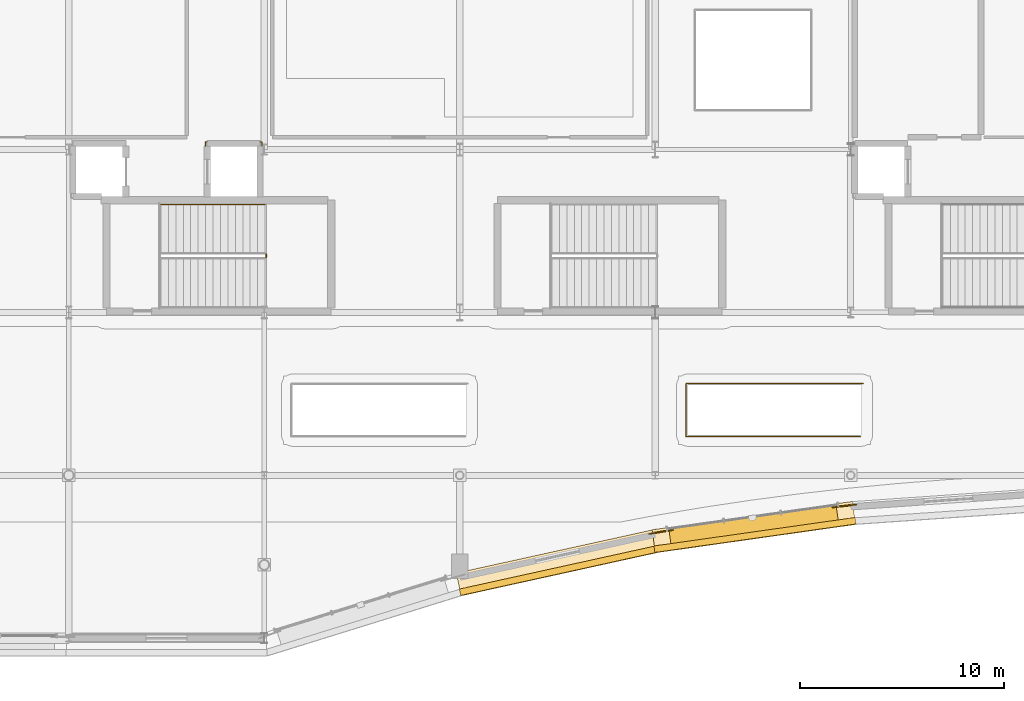
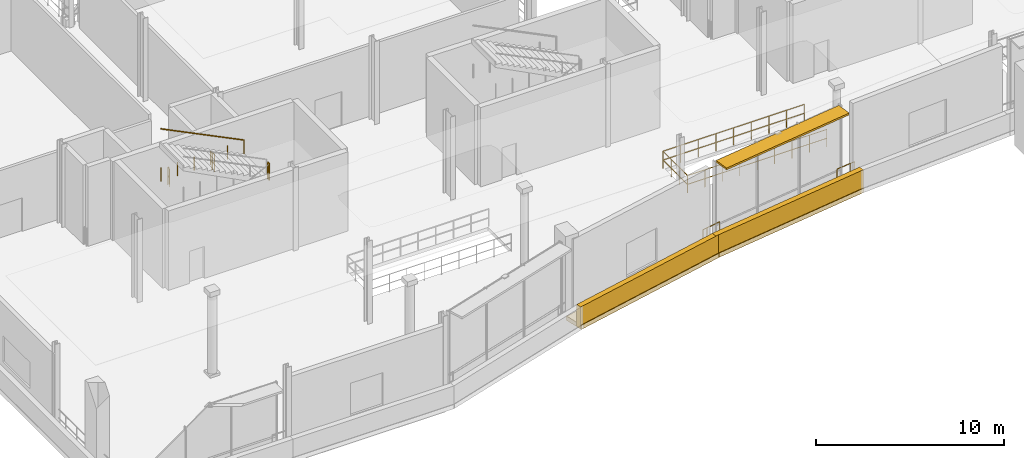
# One storey, part 104 of 129: 7 railings, 4 coverings, 1 shading device.
"""IFC4 building model written with IfcOpenShell, lengths in metres."""

import ifcopenshell
import ifcopenshell.guid

model = None  # the IFC model being written
_history = None  # IfcOwnerHistory: only IFC2X3 demands one
_inside = {}  # id of a spatial element -> (the spatial element, [elements in it])
_under = {}  # id of a project, library or spatial element -> (it, [spatial elements below it])
_declared = {}  # id of a project -> (the project, [libraries it declares])
_typed = {}  # id of a type object -> (the type object, [elements of that type])
_made_of = {}  # id of a material, layer set ... -> (it, [elements and type objects made of it])


def new_model(schema):
    """Start an empty IFC model of exactly this schema.

    Asked for "IFC4X3", IfcOpenShell would pick the latest addendum, in which some entities
    have other attributes; the version numbers below select the first issue.
    IFC2X3 requires an IfcOwnerHistory on every rooted entity: one is made here for all.
    """
    global model, _history
    if schema == "IFC4X3":
        model = ifcopenshell.file(schema_version=(4, 3, 0, 0))
    else:
        model = ifcopenshell.file(schema=schema)
    _inside.clear()
    _under.clear()
    _declared.clear()
    _typed.clear()
    _made_of.clear()
    _history = None
    if model.schema == "IFC2X3":
        org = make("IfcOrganization", Name="unknown")
        user = make(
            "IfcPersonAndOrganization",
            ThePerson=make("IfcPerson", FamilyName="unknown"),
            TheOrganization=org,
        )
        app = make(
            "IfcApplication",
            ApplicationDeveloper=org,
            Version="unknown",
            ApplicationFullName="unknown",
            ApplicationIdentifier="unknown",
        )
        _history = make(
            "IfcOwnerHistory",
            OwningUser=user,
            OwningApplication=app,
            ChangeAction="ADDED",
            CreationDate=0,
        )
    return model


def make(cls, **values):
    """One entity of the class cls with the attributes given. An attribute that is None is left unset."""
    return model.create_entity(
        cls, **{name: value for name, value in values.items() if value is not None}
    )


def rooted(cls, **values):
    """An entity with a GlobalId (a new one), such as an element, a storey or a relation."""
    return make(cls, GlobalId=ifcopenshell.guid.new(), OwnerHistory=_history, **values)


def si_unit(unit_type, name, prefix=None):
    """IfcSIUnit, for example si_unit("LENGTHUNIT", "METRE", prefix="MILLI")."""
    return make("IfcSIUnit", UnitType=unit_type, Prefix=prefix, Name=name)


def assignment(units):
    """IfcUnitAssignment: the units of a project."""
    return None if units is None else make("IfcUnitAssignment", Units=units)


def point(xyz):
    """IfcCartesianPoint."""
    return None if xyz is None else make("IfcCartesianPoint", Coordinates=xyz)


def direction(xyz):
    """IfcDirection."""
    return None if xyz is None else make("IfcDirection", DirectionRatios=xyz)


def frame(location, z_axis=None, x_axis=None):
    """IfcAxis2Placement3D, a coordinate frame: its origin and axes. An axis left out is left unset."""
    return make(
        "IfcAxis2Placement3D",
        Location=point(location),
        Axis=direction(z_axis),
        RefDirection=direction(x_axis),
    )


def frame_2d(location, x_axis=None):
    """IfcAxis2Placement2D, a coordinate frame in the plane: its origin and x axis."""
    return make(
        "IfcAxis2Placement2D", Location=point(location), RefDirection=direction(x_axis)
    )


def origin():
    """The frame at (0, 0, 0) with its axes left unset."""
    return frame((0.0, 0.0, 0.0))


def origin_2d():
    """The frame at (0, 0) in the plane with its x axis left unset."""
    return frame_2d((0.0, 0.0))


def place(relative_to, where):
    """IfcLocalPlacement: puts the frame where relative to a parent placement (None: the world)."""
    return make(
        "IfcLocalPlacement", PlacementRelTo=relative_to, RelativePlacement=where
    )


def context(
    kind, dimensions, precision=None, world=None, true_north=None, identifier=None
):
    """IfcGeometricRepresentationContext, for example the 3D "Model" context."""
    return make(
        "IfcGeometricRepresentationContext",
        ContextIdentifier=identifier,
        ContextType=kind,
        CoordinateSpaceDimension=dimensions,
        Precision=precision,
        WorldCoordinateSystem=world,
        TrueNorth=true_north,
    )


def subcontext(parent, identifier, kind, view, scale=None):
    """IfcGeometricRepresentationSubContext, for example "Body" below "Model"."""
    return make(
        "IfcGeometricRepresentationSubContext",
        ContextIdentifier=identifier,
        ContextType=kind,
        ParentContext=parent,
        TargetScale=scale,
        TargetView=view,
    )


def project(units=None, contexts=None):
    """IfcProject with its units and contexts."""
    return rooted(
        "IfcProject",
        Name="project",
        RepresentationContexts=contexts,
        UnitsInContext=assignment(units),
    )


def spatial(cls, under=None, at=None, **own):
    """A site, building, storey or space (cls), placed at a placement, below another one or the project."""
    s = rooted(cls, ObjectPlacement=at, **own)
    if under is not None:
        _under.setdefault(under.id(), (under, []))[1].append(s)
    return s


def profile(cls, at=None, kind="AREA", **sizes):
    """A parametric profile (cls). Its sizes go by their IFC names, for example OverallWidth=200.0."""
    return make(cls, ProfileType=kind, Position=at, **sizes)


def rectangle(**sizes):
    """IfcRectangleProfileDef."""
    return profile("IfcRectangleProfileDef", **sizes)


def circle(**sizes):
    """IfcCircleProfileDef."""
    return profile("IfcCircleProfileDef", **sizes)


def extrude(swept, where, along, depth):
    """IfcExtrudedAreaSolid: the profile swept, set in the frame where, extruded along a direction by depth."""
    return make(
        "IfcExtrudedAreaSolid",
        SweptArea=swept,
        Position=where,
        ExtrudedDirection=direction(along),
        Depth=depth,
    )


def shape(context_of_items, identifier, shape_type, items):
    """IfcShapeRepresentation: the items that make up one representation, for example the "Body"."""
    return make(
        "IfcShapeRepresentation",
        ContextOfItems=context_of_items,
        RepresentationIdentifier=identifier,
        RepresentationType=shape_type,
        Items=items,
    )


def material(Name=None, Category=None):
    """IfcMaterial."""
    return make("IfcMaterial", Name=Name, Category=Category)


def layer(
    of_material, thickness, ventilated=None, Name=None, Category=None, Priority=None
):
    """IfcMaterialLayer: one layer of a wall or slab, of a material (None: an air gap)."""
    return make(
        "IfcMaterialLayer",
        Material=of_material,
        LayerThickness=thickness,
        IsVentilated=ventilated,
        Name=Name,
        Category=Category,
        Priority=Priority,
    )


def layer_set(layers, Name=None):
    """IfcMaterialLayerSet."""
    return make("IfcMaterialLayerSet", MaterialLayers=layers, LayerSetName=Name)


def made_of(thing, what):
    """Note that an element or type object is made of a material, layer set ...; save() writes the relation."""
    if what is not None:
        _made_of.setdefault(what.id(), (what, []))[1].append(thing)
    return thing


def type_object(cls, material=None, **own):
    """A type object (cls), such as IfcWallType, which elements share."""
    return made_of(rooted(cls, **own), material)


def element(
    cls,
    number,
    at=None,
    inside=None,
    cuts=None,
    type_object=None,
    material=None,
    context=None,
    identifier="Body",
    shape_type=None,
    held_by="IfcProductDefinitionShape",
    body=None,
    shapes=None,
    **own,
):
    """One element of the class cls, such as IfcWall. Its Tag is "e" and its number.

    at: its placement. inside: the storey or other place that contains it. cuts: it is an
    opening in that element (IfcRelVoidsElement). A single representation is given by context,
    identifier, shape_type and body (its items); several are given by shapes. held_by: the class
    of the entity that holds the representations. save() writes the other relations.
    """
    e = rooted(cls, Tag="e%d" % number, ObjectPlacement=at, **own)
    if body is not None:
        shapes = [shape(context, identifier, shape_type, body)]
    if shapes is not None:
        e.Representation = make(held_by, Representations=shapes)
    if inside is not None:
        _inside.setdefault(inside.id(), (inside, []))[1].append(e)
    if cuts is not None:
        rooted(
            "IfcRelVoidsElement", RelatingBuildingElement=cuts, RelatedOpeningElement=e
        )
    if type_object is not None:
        _typed.setdefault(type_object.id(), (type_object, []))[1].append(e)
    return made_of(e, material)


def aggregate(whole, parts):
    """IfcRelAggregates: a whole, such as a stair, and the parts it consists of."""
    return rooted("IfcRelAggregates", RelatingObject=whole, RelatedObjects=parts)


def save(model, path):
    """Write the relations noted so far, then the file.

    IfcRelAggregates (storeys below a building ...), IfcRelContainedInSpatialStructure (elements
    in a storey), IfcRelDefinesByType, IfcRelAssociatesMaterial and IfcRelDeclares: one each for
    every whole, place, type object, material and project.
    """
    for whole, parts in _under.values():
        aggregate(whole, parts)
    for where, things in _inside.values():
        rooted(
            "IfcRelContainedInSpatialStructure",
            RelatedElements=things,
            RelatingStructure=where,
        )
    for kind, things in _typed.values():
        rooted("IfcRelDefinesByType", RelatedObjects=things, RelatingType=kind)
    for what, things in _made_of.values():
        rooted("IfcRelAssociatesMaterial", RelatedObjects=things, RelatingMaterial=what)
    for by, libraries in _declared.values():
        rooted("IfcRelDeclares", RelatingContext=by, RelatedDefinitions=libraries)
    model.write(path)


model = new_model("IFC4")

# Units and contexts
model_context = context("Model", 3, precision=1e-05, world=origin(), true_north=direction((0.0, 1.0)))
body_context = subcontext(model_context, "Body", "Model", "MODEL_VIEW")
ifc_project = project(units=[si_unit("LENGTHUNIT", "METRE"), si_unit("AREAUNIT", "SQUARE_METRE"), si_unit("VOLUMEUNIT", "CUBIC_METRE"), si_unit("PLANEANGLEUNIT", "RADIAN"), si_unit("MASSUNIT", "GRAM", prefix="KILO")], contexts=[model_context])

# Site, building, storey
site_placement = place(None, origin())
site = spatial("IfcSite", under=ifc_project, at=site_placement, CompositionType="ELEMENT")
building_placement = place(site_placement, origin())
building = spatial("IfcBuilding", under=site, at=building_placement, Name="Danafjord Basin Convention Centre", CompositionType="ELEMENT")
storey_placement = place(building_placement, frame((0.0, 0.0, 6.0)))
storey = spatial("IfcBuildingStorey", under=building, at=storey_placement, Name="L01", CompositionType="ELEMENT", Elevation=6.0)

# Coverings
ifc_material_1 = material(Name="Architectural white precast concrete C45/55", Category="concrete")
ifc_layer = layer(ifc_material_1, 0.320068359375)
ifc_layer_set = layer_set([ifc_layer], Name="Architectural white precast concrete C45/55")
covering_type = type_object("IfcCoveringType", Name="COV-BAND-HORIZ", PredefinedType="CLADDING", material=ifc_layer_set)
covering_1_placement = place(storey_placement, frame((33.669921875, 3.718994140625, -0.27978515625), z_axis=(0.0, 0.0, 1.0), x_axis=(0.976623114167, 0.214958816695, 0.0)))
element("IfcCovering", 1, at=covering_1_placement, inside=storey, type_object=covering_type, Name="L01 stepped horizontal band soffit plate 4", PredefinedType="CLADDING", context=body_context, shape_type="SweptSolid", body=[
    extrude(rectangle(XDim=10.070068359375, YDim=1.14990234375, at=origin_2d()), origin(), (0.0, 0.0, 1.0), 0.280029296875),
])
covering_2_placement = place(storey_placement, frame((33.752685546875, 3.343017578125, -0.239990234375), z_axis=(0.0, 0.0, 1.0), x_axis=(0.976623114167, 0.214958816695, 0.0)))
element("IfcCovering", 2, at=covering_2_placement, inside=storey, type_object=covering_type, Name="L01 layered horizontal white spandrel band 4", PredefinedType="CLADDING", context=body_context, shape_type="SweptSolid", body=[
    extrude(rectangle(XDim=10.110107421875, YDim=0.320068359375, at=origin_2d()), origin(), (0.0, 0.0, 1.0), 1.419921875),
])
covering_3_placement = place(storey_placement, frame((43.24560546875, 5.45068359375, -0.27978515625), z_axis=(0.0, 0.0, 1.0), x_axis=(0.990128157327, 0.140165017276, 0.0)))
element("IfcCovering", 3, at=covering_3_placement, inside=storey, type_object=covering_type, Name="L01 stepped horizontal band soffit plate 5", PredefinedType="CLADDING", context=body_context, shape_type="SweptSolid", body=[
    extrude(rectangle(XDim=9.93603515625, YDim=1.14990234375, at=origin_2d()), origin(), (0.0, 0.0, 1.0), 0.280029296875),
])
covering_4_placement = place(storey_placement, frame((43.299560546875, 5.069580078125, -0.239990234375), z_axis=(0.0, 0.0, 1.0), x_axis=(0.990128157327, 0.140165017276, 0.0)))
element("IfcCovering", 4, at=covering_4_placement, inside=storey, type_object=covering_type, Name="L01 layered horizontal white spandrel band 5", PredefinedType="CLADDING", context=body_context, shape_type="SweptSolid", body=[
    extrude(rectangle(XDim=9.97607421875, YDim=0.320068359375, at=origin_2d()), origin(), (0.0, 0.0, 1.0), 1.419921875),
])

# Railings
ifc_material_2 = material(Name="Laminated structural glass and stainless steel", Category="steel")
railing_type_1 = type_object("IfcRailingType", Name="RL-BAL-GLS", PredefinedType="BALUSTRADE", material=ifc_material_2)
railing_1_placement = place(storey_placement, frame((48.27294921875, 6.55908203125, 0.0)))
element("IfcRailing", 5, at=railing_1_placement, inside=storey, type_object=railing_type_1, Name="L01 safety guard balustrade 50", PredefinedType="BALUSTRADE", context=body_context, shape_type="SweptSolid", body=[
    extrude(circle(Radius=0.02392578125, at=origin_2d()), frame((0.0, 0.0, 1.1259765625), z_axis=(-0.995382053883, -0.09599253517, 0.0), x_axis=(0.09599253517, -0.995382053883, 0.0)), (0.0, 0.0, 1.0), 0.2822265625),
    extrude(circle(Radius=0.02392578125, at=origin_2d()), frame((0.0, 0.0, 0.55078125), z_axis=(-0.995382053883, -0.09599253517, 0.0), x_axis=(0.09599253517, -0.995382053883, 0.0)), (0.0, 0.0, 1.0), 0.2822265625),
    extrude(circle(Radius=0.02392578125, at=origin_2d()), frame((-0.281005859375, -0.027099609375, 1.1259765625), z_axis=(-0.993562916421, -0.113281645087, 0.0), x_axis=(0.113281645087, -0.993562916421, 0.0)), (0.0, 0.0, 1.0), 0.883544921875),
    extrude(circle(Radius=0.02392578125, at=origin_2d()), frame((-0.281005859375, -0.027099609375, 0.55078125), z_axis=(-0.993562916421, -0.113281645087, 0.0), x_axis=(0.113281645087, -0.993562916421, 0.0)), (0.0, 0.0, 1.0), 0.883544921875),
    extrude(circle(Radius=0.02099609375, at=origin_2d()), origin(), (0.0, 0.0, 1.0), 1.099853515625),
    extrude(circle(Radius=0.02099609375, at=origin_2d()), frame((-0.281005859375, -0.027099609375, 0.0)), (0.0, 0.0, 1.0), 1.099853515625),
    extrude(circle(Radius=0.02099609375, at=origin_2d()), frame((-1.158935546875, -0.127197265625, 0.0)), (0.0, 0.0, 1.0), 1.099853515625),
])
railing_2_placement = place(storey_placement, frame((39.257080078125, 5.320068359375, 0.0)))
element("IfcRailing", 6, at=railing_2_placement, inside=storey, type_object=railing_type_1, Name="L01 safety guard balustrade 51", PredefinedType="BALUSTRADE", context=body_context, shape_type="SweptSolid", body=[
    extrude(circle(Radius=0.02392578125, at=origin_2d()), frame((0.0, 0.0, 1.1259765625), z_axis=(-0.985881401248, -0.167445103463, 0.0), x_axis=(0.167445103463, -0.985881401248, 0.0)), (0.0, 0.0, 1.0), 0.883544921875),
    extrude(circle(Radius=0.02392578125, at=origin_2d()), frame((0.0, 0.0, 0.55078125), z_axis=(-0.985881401248, -0.167445103463, 0.0), x_axis=(0.167445103463, -0.985881401248, 0.0)), (0.0, 0.0, 1.0), 0.883544921875),
    extrude(circle(Radius=0.02392578125, at=origin_2d()), frame((-0.87109375, -0.14794921875, 1.1259765625), z_axis=(-0.98217213288, -0.187983779603, 0.0), x_axis=(0.187983779603, -0.98217213288, 0.0)), (0.0, 0.0, 1.0), 0.283203125),
    extrude(circle(Radius=0.02392578125, at=origin_2d()), frame((-0.87109375, -0.14794921875, 0.55078125), z_axis=(-0.98217213288, -0.187983779603, 0.0), x_axis=(0.187983779603, -0.98217213288, 0.0)), (0.0, 0.0, 1.0), 0.283203125),
    extrude(circle(Radius=0.02099609375, at=origin_2d()), origin(), (0.0, 0.0, 1.0), 1.099853515625),
    extrude(circle(Radius=0.02099609375, at=origin_2d()), frame((-0.87109375, -0.14794921875, 0.0)), (0.0, 0.0, 1.0), 1.099853515625),
    extrude(circle(Radius=0.02099609375, at=origin_2d()), frame((-1.149169921875, -0.201171875, 0.0)), (0.0, 0.0, 1.0), 1.099853515625),
])
railing_3_placement = place(storey_placement, frame((48.60498046875, 12.5048828125, 0.0)))
element("IfcRailing", 7, at=railing_3_placement, inside=storey, type_object=railing_type_1, Name="L01 safety guard balustrade 118", PredefinedType="BALUSTRADE", context=body_context, shape_type="SweptSolid", body=[
    extrude(circle(Radius=0.02392578125, at=origin_2d()), frame((0.0, 0.0, 1.1259765625), z_axis=(-1.0, 0.0, 0.0), x_axis=(0.0, -1.0, 0.0)), (0.0, 0.0, 1.0), 8.68505859375),
    extrude(circle(Radius=0.02392578125, at=origin_2d()), frame((0.0, 0.0, 0.55078125), z_axis=(-1.0, 0.0, 0.0), x_axis=(0.0, -1.0, 0.0)), (0.0, 0.0, 1.0), 8.68505859375),
    extrude(circle(Radius=0.02392578125, at=origin_2d()), frame((-8.68505859375, 0.0, 1.1259765625), z_axis=(0.0, -1.0, 0.0), x_axis=(1.0, 0.0, 0.0)), (0.0, 0.0, 1.0), 2.60986328125),
    extrude(circle(Radius=0.02392578125, at=origin_2d()), frame((-8.68505859375, 0.0, 0.55078125), z_axis=(0.0, -1.0, 0.0), x_axis=(1.0, 0.0, 0.0)), (0.0, 0.0, 1.0), 2.60986328125),
    extrude(circle(Radius=0.02392578125, at=origin_2d()), frame((-8.68505859375, -2.60986328125, 1.1259765625), z_axis=(1.0, 0.0, 0.0), x_axis=(0.0, 1.0, 0.0)), (0.0, 0.0, 1.0), 8.565185546875),
    extrude(circle(Radius=0.02392578125, at=origin_2d()), frame((-8.68505859375, -2.60986328125, 0.55078125), z_axis=(1.0, 0.0, 0.0), x_axis=(0.0, 1.0, 0.0)), (0.0, 0.0, 1.0), 8.565185546875),
    extrude(circle(Radius=0.02099609375, at=origin_2d()), origin(), (0.0, 0.0, 1.0), 1.099853515625),
    extrude(circle(Radius=0.02099609375, at=origin_2d()), frame((-1.085693359375, 0.0, 0.0)), (0.0, 0.0, 1.0), 1.099853515625),
    extrude(circle(Radius=0.02099609375, at=origin_2d()), frame((-2.17138671875, 0.0, 0.0)), (0.0, 0.0, 1.0), 1.099853515625),
    extrude(circle(Radius=0.02099609375, at=origin_2d()), frame((-3.2568359375, 0.0, 0.0)), (0.0, 0.0, 1.0), 1.099853515625),
    extrude(circle(Radius=0.02099609375, at=origin_2d()), frame((-4.342529296875, 0.0, 0.0)), (0.0, 0.0, 1.0), 1.099853515625),
    extrude(circle(Radius=0.02099609375, at=origin_2d()), frame((-5.42822265625, 0.0, 0.0)), (0.0, 0.0, 1.0), 1.099853515625),
    extrude(circle(Radius=0.02099609375, at=origin_2d()), frame((-6.513671875, 0.0, 0.0)), (0.0, 0.0, 1.0), 1.099853515625),
    extrude(circle(Radius=0.02099609375, at=origin_2d()), frame((-7.599365234375, 0.0, 0.0)), (0.0, 0.0, 1.0), 1.099853515625),
    extrude(circle(Radius=0.02099609375, at=origin_2d()), frame((-8.68505859375, 0.0, 0.0)), (0.0, 0.0, 1.0), 1.099853515625),
    extrude(circle(Radius=0.02099609375, at=origin_2d()), frame((-8.68505859375, -0.869873046875, 0.0)), (0.0, 0.0, 1.0), 1.099853515625),
    extrude(circle(Radius=0.02099609375, at=origin_2d()), frame((-8.68505859375, -1.739990234375, 0.0)), (0.0, 0.0, 1.0), 1.099853515625),
    extrude(circle(Radius=0.02099609375, at=origin_2d()), frame((-8.68505859375, -2.60986328125, 0.0)), (0.0, 0.0, 1.0), 1.099853515625),
    extrude(circle(Radius=0.02099609375, at=origin_2d()), frame((-7.614501953125, -2.60986328125, 0.0)), (0.0, 0.0, 1.0), 1.099853515625),
    extrude(circle(Radius=0.02099609375, at=origin_2d()), frame((-6.543701171875, -2.60986328125, 0.0)), (0.0, 0.0, 1.0), 1.099853515625),
    extrude(circle(Radius=0.02099609375, at=origin_2d()), frame((-5.47314453125, -2.60986328125, 0.0)), (0.0, 0.0, 1.0), 1.099853515625),
    extrude(circle(Radius=0.02099609375, at=origin_2d()), frame((-4.40234375, -2.60986328125, 0.0)), (0.0, 0.0, 1.0), 1.099853515625),
    extrude(circle(Radius=0.02099609375, at=origin_2d()), frame((-3.331787109375, -2.60986328125, 0.0)), (0.0, 0.0, 1.0), 1.099853515625),
    extrude(circle(Radius=0.02099609375, at=origin_2d()), frame((-2.26123046875, -2.60986328125, 0.0)), (0.0, 0.0, 1.0), 1.099853515625),
    extrude(circle(Radius=0.02099609375, at=origin_2d()), frame((-1.1904296875, -2.60986328125, 0.0)), (0.0, 0.0, 1.0), 1.099853515625),
    extrude(circle(Radius=0.02099609375, at=origin_2d()), frame((-0.119873046875, -2.60986328125, 0.0)), (0.0, 0.0, 1.0), 1.099853515625),
])
railing_4_placement = place(storey_placement, frame((16.39990234375, 24.3798828125, 0.0)))
element("IfcRailing", 8, at=railing_4_placement, inside=storey, type_object=railing_type_1, Name="L01 safety guard balustrade 124", PredefinedType="BALUSTRADE", context=body_context, shape_type="SweptSolid", body=[
    extrude(circle(Radius=0.02392578125, at=origin_2d()), frame((0.0, 0.0, 1.1259765625), z_axis=(-1.0, 0.0, 0.0), x_axis=(0.0, -1.0, 0.0)), (0.0, 0.0, 1.0), 0.079833984375),
    extrude(circle(Radius=0.02392578125, at=origin_2d()), frame((0.0, 0.0, 0.55078125), z_axis=(-1.0, 0.0, 0.0), x_axis=(0.0, -1.0, 0.0)), (0.0, 0.0, 1.0), 0.079833984375),
    extrude(circle(Radius=0.02392578125, at=origin_2d()), frame((-0.079833984375, 0.0, 1.1259765625), z_axis=(0.0, -1.0, 0.0), x_axis=(1.0, 0.0, 0.0)), (0.0, 0.0, 1.0), 0.21484375),
    extrude(circle(Radius=0.02392578125, at=origin_2d()), frame((-0.079833984375, 0.0, 0.55078125), z_axis=(0.0, -1.0, 0.0), x_axis=(1.0, 0.0, 0.0)), (0.0, 0.0, 1.0), 0.21484375),
    extrude(circle(Radius=0.02099609375, at=origin_2d()), origin(), (0.0, 0.0, 1.0), 1.099853515625),
    extrude(circle(Radius=0.02099609375, at=origin_2d()), frame((-0.079833984375, 0.0, 0.0)), (0.0, 0.0, 1.0), 1.099853515625),
    extrude(circle(Radius=0.02099609375, at=origin_2d()), frame((-0.079833984375, -0.21484375, 0.0)), (0.0, 0.0, 1.0), 1.099853515625),
])
ifc_material_3 = material(Name="Galvanised and powder-coated steel S355", Category="steel")
railing_type_2 = type_object("IfcRailingType", Name="RL-BAL-STL", PredefinedType="BALUSTRADE", material=ifc_material_3)
railing_5_placement = place(storey_placement, frame((19.080078125, 24.1650390625, 0.0)))
element("IfcRailing", 9, at=railing_5_placement, inside=storey, type_object=railing_type_2, Name="L01 safety guard balustrade 123", PredefinedType="BALUSTRADE", context=body_context, shape_type="SweptSolid", body=[
    extrude(circle(Radius=0.02392578125, at=origin_2d()), frame((0.0, 0.0, 1.1259765625), z_axis=(0.0, 1.0, 0.0), x_axis=(-1.0, 0.0, 0.0)), (0.0, 0.0, 1.0), 0.21484375),
    extrude(circle(Radius=0.02392578125, at=origin_2d()), frame((0.0, 0.0, 0.55078125), z_axis=(0.0, 1.0, 0.0), x_axis=(-1.0, 0.0, 0.0)), (0.0, 0.0, 1.0), 0.21484375),
    extrude(circle(Radius=0.02392578125, at=origin_2d()), frame((0.0, 0.21484375, 1.1259765625), z_axis=(-1.0, 0.0, 0.0), x_axis=(0.0, -1.0, 0.0)), (0.0, 0.0, 1.0), 0.080078125),
    extrude(circle(Radius=0.02392578125, at=origin_2d()), frame((0.0, 0.21484375, 0.55078125), z_axis=(-1.0, 0.0, 0.0), x_axis=(0.0, -1.0, 0.0)), (0.0, 0.0, 1.0), 0.080078125),
    extrude(circle(Radius=0.02099609375, at=origin_2d()), origin(), (0.0, 0.0, 1.0), 1.099853515625),
    extrude(circle(Radius=0.02099609375, at=origin_2d()), frame((0.0, 0.21484375, 0.0)), (0.0, 0.0, 1.0), 1.099853515625),
    extrude(circle(Radius=0.02099609375, at=origin_2d()), frame((-0.080078125, 0.21484375, 0.0)), (0.0, 0.0, 1.0), 1.099853515625),
])
ifc_material_4 = material(Name="Galvanised steel S355", Category="steel")
railing_type_3 = type_object("IfcRailingType", Name="RL-GD-WELL", PredefinedType="BALUSTRADE", material=ifc_material_4)
railing_6_placement = place(storey_placement, frame((19.2900390625, 18.7099609375, 2.699951171875)))
element("IfcRailing", 10, at=railing_6_placement, inside=storey, type_object=railing_type_3, Name="L01 ST-01 stair guard 2", PredefinedType="BALUSTRADE", context=body_context, shape_type="SweptSolid", body=[
    extrude(circle(Radius=0.02392578125, at=origin_2d()), frame((0.0, 0.0, 1.076171875), z_axis=(0.0, 1.0, 0.0), x_axis=(-1.0, 0.0, 0.0)), (0.0, 0.0, 1.0), 0.14013671875),
    extrude(circle(Radius=0.02392578125, at=origin_2d()), frame((0.0, 0.0, 0.52587890625), z_axis=(0.0, 1.0, 0.0), x_axis=(-1.0, 0.0, 0.0)), (0.0, 0.0, 1.0), 0.14013671875),
    extrude(circle(Radius=0.02099609375, at=origin_2d()), origin(), (0.0, 0.0, 1.0), 1.050048828125),
    extrude(circle(Radius=0.02099609375, at=origin_2d()), frame((0.0, 0.14013671875, 0.0)), (0.0, 0.0, 1.0), 1.050048828125),
])
ifc_material_5 = material(Name="Brushed stainless steel EN 1.4404", Category="steel")
railing_type_4 = type_object("IfcRailingType", Name="RL-HR-STAIR", PredefinedType="HANDRAIL", material=ifc_material_5)
railing_7_placement = place(storey_placement, frame((19.239990234375, 21.300048828125, 2.8798828125)))
element("IfcRailing", 11, at=railing_7_placement, inside=storey, type_object=railing_type_4, Name="L01 ST-01 stair handrail 2", PredefinedType="HANDRAIL", context=body_context, shape_type="SweptSolid", body=[
    extrude(circle(Radius=0.02392578125, at=origin_2d()), frame((0.0, 0.0, 0.8759765625), z_axis=(-0.896873198966, 0.0, 0.442287762635), x_axis=(0.0, -1.0, 0.0)), (0.0, 0.0, 1.0), 5.69775390625),
    extrude(circle(Radius=0.02099609375, at=origin_2d()), origin(), (0.0, 0.0, 1.0), 0.849853515625),
    extrude(circle(Radius=0.02099609375, at=origin_2d()), frame((-1.02197265625, 0.0, 0.0)), (0.0, 0.0, 1.0), 0.849853515625),
    extrude(circle(Radius=0.02099609375, at=origin_2d()), frame((-2.0439453125, 0.0, 0.0)), (0.0, 0.0, 1.0), 0.849853515625),
    extrude(circle(Radius=0.02099609375, at=origin_2d()), frame((-3.066162109375, 0.0, 0.0)), (0.0, 0.0, 1.0), 0.849853515625),
    extrude(circle(Radius=0.02099609375, at=origin_2d()), frame((-4.088134765625, 0.0, 0.0)), (0.0, 0.0, 1.0), 0.849853515625),
    extrude(circle(Radius=0.02099609375, at=origin_2d()), frame((-5.110107421875, 0.0, 0.0)), (0.0, 0.0, 1.0), 0.849853515625),
])

# Shading device
ifc_material_6 = material(Name="Anodised aluminium aerofoil sunshade", Category="aluminium")
shading_device_type = type_object("IfcShadingDeviceType", Name="SHD-SUN-A", PredefinedType="USERDEFINED", material=ifc_material_6)
shading_device_placement = place(storey_placement, frame((43.238037109375, 5.503662109375, 5.030029296875), z_axis=(0.0, 0.0, 1.0), x_axis=(0.990128157327, 0.140165017276, 0.0)))
element("IfcShadingDevice", 12, at=shading_device_placement, inside=storey, type_object=shading_device_type, Name="L01 cantilevered harbour sunshade 6", ObjectType="SUNSHADE", PredefinedType="USERDEFINED", context=body_context, shape_type="SweptSolid", body=[
    extrude(rectangle(XDim=8.295654296875, YDim=0.89990234375, at=origin_2d()), origin(), (0.0, 0.0, 1.0), 0.1201171875),
])

save(model, "model.ifc")
